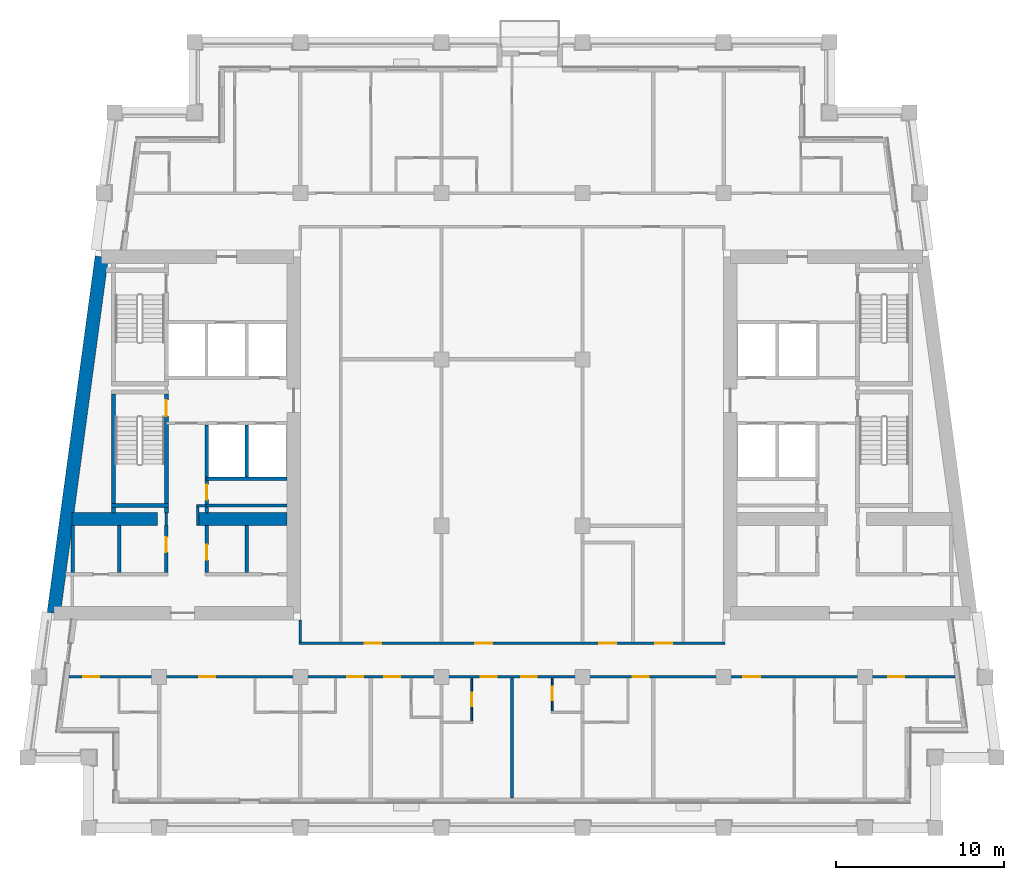
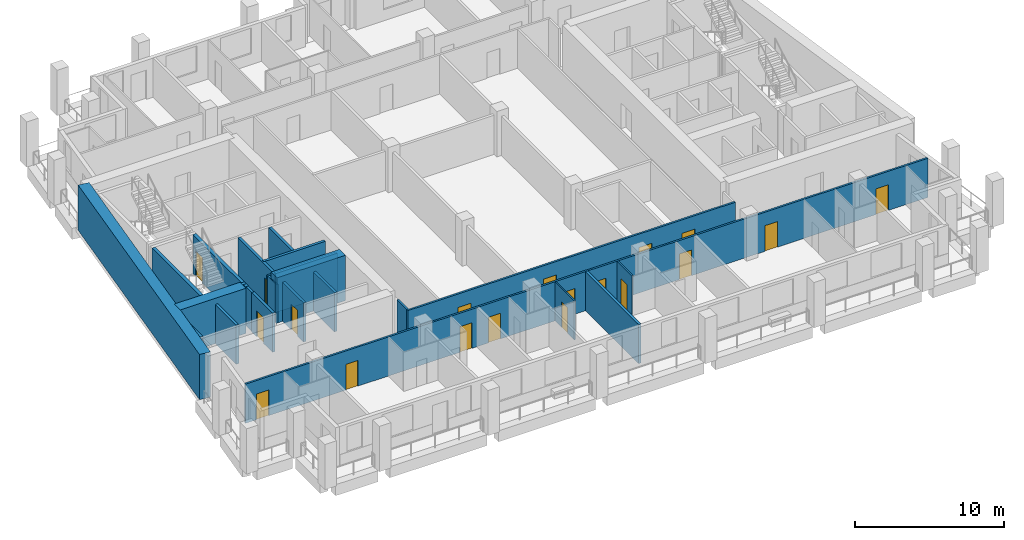
# One storey, part 3 of 13: 24 walls, 19 doors, 19 openings.
"""IFC4 building model written with IfcOpenShell, lengths in metres."""

from ifc_helpers import new_model, si_unit, direction, frame, frame_2d, origin, place, context, subcontext, project, spatial, rectangle, extrude, material, layer, layer_set, type_object, element, fill, save


model = new_model("IFC4")

# Units and contexts
model_context = context("Model", 3, precision=1e-05, world=origin(), true_north=direction((0.0, 1.0)))
body_context = subcontext(model_context, "Body", "Model", "MODEL_VIEW")
ifc_project = project(units=[si_unit("LENGTHUNIT", "METRE"), si_unit("AREAUNIT", "SQUARE_METRE"), si_unit("VOLUMEUNIT", "CUBIC_METRE"), si_unit("PLANEANGLEUNIT", "RADIAN"), si_unit("MASSUNIT", "GRAM", prefix="KILO")], contexts=[model_context])

# Site, building, storey
site_placement = place(None, origin())
site = spatial("IfcSite", under=ifc_project, at=site_placement, CompositionType="ELEMENT")
building_placement = place(site_placement, origin())
building = spatial("IfcBuilding", under=site, at=building_placement, Name="Candeia Pilgrim Tower and Theatre", CompositionType="ELEMENT")
storey_placement = place(building_placement, frame((0.0, 0.0, 242.89990234375)))
storey = spatial("IfcBuildingStorey", under=building, at=storey_placement, Name="L59", CompositionType="ELEMENT", Elevation=242.89990234375)

# Walls
ifc_material_1 = material(Name="Concrete C50/60", Category="concrete")
ifc_layer_1 = layer(ifc_material_1, 0.800048828125)
ifc_layer_set_1 = layer_set([ifc_layer_1], Name="Core wall 800 C50/60")
wall_type_1 = type_object("IfcWallType", Name="Core wall 800 C50/60", PredefinedType="SHEAR", material=ifc_layer_set_1)
wall_1_placement = place(storey_placement, frame((86.126708984375, 110.800048828125, 0.0), z_axis=(0.0, 0.0, 1.0), x_axis=(0.133408347329, 0.991061154956, 0.0)))
element("IfcWall", 1, at=wall_1_placement, inside=storey, type_object=wall_type_1, Name="Core wall W4", PredefinedType="SHEAR", context=body_context, shape_type="SweptSolid", body=[
    extrude(rectangle(XDim=21.39111328125, YDim=0.800048828125, at=frame_2d((10.695556640625, 0.0))), origin(), (0.0, 0.0, 1.0), 3.7001953125),
])
wall_2_placement = place(storey_placement, frame((87.22314453125, 116.39990234375, 0.0), z_axis=(0.0, 0.0, 1.0), x_axis=(1.0, 0.0, 0.0)))
element("IfcWall", 2, at=wall_2_placement, inside=storey, type_object=wall_type_1, Name="Core wall W5", PredefinedType="SHEAR", context=body_context, shape_type="SweptSolid", body=[
    extrude(rectangle(XDim=5.076904296875, YDim=0.800048828125, at=frame_2d((2.53857421875, 0.0))), origin(), (0.0, 0.0, 1.0), 3.7001953125),
])
wall_3_placement = place(storey_placement, frame((94.699951171875, 116.39990234375, 0.0), z_axis=(0.0, 0.0, 1.0), x_axis=(1.0, 0.0, 0.0)))
element("IfcWall", 3, at=wall_3_placement, inside=storey, type_object=wall_type_1, Name="Core wall W6", PredefinedType="SHEAR", context=body_context, shape_type="SweptSolid", body=[
    extrude(rectangle(XDim=5.300048828125, YDim=0.800048828125, at=frame_2d((2.64990234375, 0.0))), origin(), (0.0, 0.0, 1.0), 3.7001953125),
])

# Wall, opening, door
ifc_material_2 = material(Name="Gypsum board partition on steel studs", Category="steel")
ifc_layer_2 = layer(ifc_material_2, 0.10009765625)
ifc_layer_set_2 = layer_set([ifc_layer_2], Name="PW-100 room partition")
wall_type_2 = type_object("IfcWallType", Name="PW-100 room partition", PredefinedType="PARTITIONING", material=ifc_layer_set_2)
wall_4_placement = place(storey_placement, frame((111.0, 104.35009765625, 0.0), z_axis=(0.0, 0.0, 1.0), x_axis=(0.0, 1.0, 0.0)))
wall_4 = element("IfcWall", 4, at=wall_4_placement, inside=storey, type_object=wall_type_2, Name="Room partition L59-082", PredefinedType="PARTITIONING", context=body_context, shape_type="SweptSolid", body=[
    extrude(rectangle(XDim=2.574951171875, YDim=0.10009765625, at=frame_2d((1.28759765625, 0.0))), origin(), (0.0, 0.0, 1.0), 3.2001953125),
])
opening_1_placement = place(wall_4_placement, frame((0.89990234375, 0.0, 0.0)))
opening_1 = element("IfcOpeningElement", 5, at=opening_1_placement, cuts=wall_4, Name="Opening L59-D026", PredefinedType="OPENING", context=body_context, shape_type="SweptSolid", body=[
    extrude(rectangle(XDim=0.800048828125, YDim=2.10009765625, at=frame_2d((0.39990234375, 1.050048828125))), frame((0.0, 0.06005859375, 0.0), z_axis=(0.0, -1.0, 0.0), x_axis=(1.0, 0.0, 0.0)), (0.0, 0.0, 1.0), 0.1201171875),
])
ifc_material_3 = material(Name="Timber door leaf", Category="wood")
door_type_1 = type_object("IfcDoorType", Name="D-800", OperationType="NOTDEFINED", PredefinedType="DOOR", material=ifc_material_3)
door_1_placement = place(opening_1_placement, origin())
door_1 = element("IfcDoor", 6, at=door_1_placement, inside=storey, type_object=door_type_1, Name="Door L59-D026", OperationType="SINGLE_SWING_LEFT", OverallHeight=2.10009765625, OverallWidth=0.800048828125, PredefinedType="DOOR", context=body_context, shape_type="SweptSolid", body=[
    extrude(rectangle(XDim=0.800048828125, YDim=2.10009765625, at=frame_2d((0.39990234375, 1.050048828125))), frame((0.0, 0.02490234375, 0.0), z_axis=(0.0, -1.0, 0.0), x_axis=(1.0, 0.0, 0.0)), (0.0, 0.0, 1.0), 0.050048828125),
])
fill(opening_1, door_1)

wall_5_placement = place(storey_placement, frame((115.800048828125, 104.949951171875, 0.0), z_axis=(0.0, 0.0, 1.0), x_axis=(0.0, 1.0, 0.0)))
wall_5 = element("IfcWall", 7, at=wall_5_placement, inside=storey, type_object=wall_type_2, Name="Room partition L59-086", PredefinedType="PARTITIONING", context=body_context, shape_type="SweptSolid", body=[
    extrude(rectangle(XDim=1.97509765625, YDim=0.10009765625, at=frame_2d((0.987548828125, 0.0))), origin(), (0.0, 0.0, 1.0), 3.2001953125),
])
opening_2_placement = place(wall_5_placement, frame((0.659912109375, 0.0, 0.0)))
opening_2 = element("IfcOpeningElement", 8, at=opening_2_placement, cuts=wall_5, Name="Opening L59-D028", PredefinedType="OPENING", context=body_context, shape_type="SweptSolid", body=[
    extrude(rectangle(XDim=0.800048828125, YDim=2.10009765625, at=frame_2d((0.39990234375, 1.050048828125))), frame((0.0, 0.06005859375, 0.0), z_axis=(0.0, -1.0, 0.0), x_axis=(1.0, 0.0, 0.0)), (0.0, 0.0, 1.0), 0.1201171875),
])
door_2_placement = place(opening_2_placement, origin())
door_2 = element("IfcDoor", 9, at=door_2_placement, inside=storey, type_object=door_type_1, Name="Door L59-D028", OperationType="SINGLE_SWING_LEFT", OverallHeight=2.10009765625, OverallWidth=0.800048828125, PredefinedType="DOOR", context=body_context, shape_type="SweptSolid", body=[
    extrude(rectangle(XDim=0.800048828125, YDim=2.10009765625, at=frame_2d((0.39990234375, 1.050048828125))), frame((0.0, 0.02490234375, 0.0), z_axis=(0.0, -1.0, 0.0), x_axis=(1.0, 0.0, 0.0)), (0.0, 0.0, 1.0), 0.050048828125),
])
fill(opening_2, door_2)

# Walls
ifc_layer_3 = layer(ifc_material_2, 0.14990234375)
ifc_layer_set_3 = layer_set([ifc_layer_3], Name="PW-150 lobby wall")
wall_type_3 = type_object("IfcWallType", Name="PW-150 lobby wall", PredefinedType="PARTITIONING", material=ifc_layer_set_3)
wall_6_placement = place(storey_placement, frame((94.625, 117.199951171875, 0.0), z_axis=(0.0, 0.0, 1.0), x_axis=(1.0, 0.0, 0.0)))
element("IfcWall", 10, at=wall_6_placement, inside=storey, type_object=wall_type_3, Name="Lobby wall L59-019", PredefinedType="PARTITIONING", context=body_context, shape_type="SweptSolid", body=[
    extrude(rectangle(XDim=0.60205078125, YDim=0.14990234375, at=frame_2d((0.301025390625, 0.0))), origin(), (0.0, 0.0, 1.0), 3.2001953125),
])
wall_7_placement = place(storey_placement, frame((92.826904296875, 116.0, 0.0), z_axis=(0.0, 0.0, 1.0), x_axis=(0.0, 1.0, 0.0)))
element("IfcWall", 11, at=wall_7_placement, inside=storey, type_object=wall_type_3, Name="Lobby wall L59-055", PredefinedType="PARTITIONING", context=body_context, shape_type="SweptSolid", body=[
    extrude(rectangle(XDim=0.77001953125, YDim=0.14990234375, at=frame_2d((0.385009765625, 0.0))), origin(), (0.0, 0.0, 1.0), 3.2001953125),
])
wall_8_placement = place(storey_placement, frame((94.699951171875, 116.0, 0.0), z_axis=(0.0, 0.0, 1.0), x_axis=(0.0, 1.0, 0.0)))
element("IfcWall", 12, at=wall_8_placement, inside=storey, type_object=wall_type_3, Name="Lobby wall L59-060", PredefinedType="PARTITIONING", context=body_context, shape_type="SweptSolid", body=[
    extrude(rectangle(XDim=1.125, YDim=0.14990234375, at=frame_2d((0.5625, 0.0))), origin(), (0.0, 0.0, 1.0), 3.2001953125),
])

# Wall, openings, doors
ifc_layer_4 = layer(ifc_material_2, 0.14990234375)
ifc_layer_set_4 = layer_set([ifc_layer_4], Name="PW-150 unit wall")
wall_type_4 = type_object("IfcWallType", Name="PW-150 unit wall", PredefinedType="PARTITIONING", material=ifc_layer_set_4)
wall_9_placement = place(storey_placement, frame((87.017578125, 107.0, 0.0), z_axis=(0.0, 0.0, 1.0), x_axis=(1.0, 0.0, 0.0)))
wall_9 = element("IfcWall", 13, at=wall_9_placement, inside=storey, type_object=wall_type_4, Name="Unit wall L59-009", PredefinedType="PARTITIONING", context=body_context, shape_type="SweptSolid", body=[
    extrude(rectangle(XDim=52.7646484375, YDim=0.14990234375, at=frame_2d((26.38232421875, 0.0))), origin(), (0.0, 0.0, 1.0), 3.2001953125),
])
opening_3_placement = place(wall_9_placement, frame((0.870361328125, 0.0, 0.0)))
opening_3 = element("IfcOpeningElement", 14, at=opening_3_placement, cuts=wall_9, Name="Opening L59-D017", PredefinedType="OPENING", context=body_context, shape_type="SweptSolid", body=[
    extrude(rectangle(XDim=0.949951171875, YDim=2.10009765625, at=frame_2d((0.47509765625, 1.050048828125))), frame((0.0, 0.0849609375, 0.0), z_axis=(0.0, -1.0, 0.0), x_axis=(1.0, 0.0, 0.0)), (0.0, 0.0, 1.0), 0.169921875),
])
opening_4_placement = place(wall_9_placement, frame((7.75732421875, 0.0, 0.0)))
opening_4 = element("IfcOpeningElement", 15, at=opening_4_placement, cuts=wall_9, Name="Opening L59-D019", PredefinedType="OPENING", context=body_context, shape_type="SweptSolid", body=[
    extrude(rectangle(XDim=0.949951171875, YDim=2.10009765625, at=frame_2d((0.47509765625, 1.050048828125))), frame((0.0, 0.0849609375, 0.0), z_axis=(0.0, -1.0, 0.0), x_axis=(1.0, 0.0, 0.0)), (0.0, 0.0, 1.0), 0.169921875),
])
opening_5_placement = place(wall_9_placement, frame((16.5703125, 0.0, 0.0)))
opening_5 = element("IfcOpeningElement", 16, at=opening_5_placement, cuts=wall_9, Name="Opening L59-D021", PredefinedType="OPENING", context=body_context, shape_type="SweptSolid", body=[
    extrude(rectangle(XDim=0.949951171875, YDim=2.10009765625, at=frame_2d((0.47509765625, 1.050048828125))), frame((0.0, 0.0849609375, 0.0), z_axis=(0.0, -1.0, 0.0), x_axis=(1.0, 0.0, 0.0)), (0.0, 0.0, 1.0), 0.169921875),
])
opening_6_placement = place(wall_9_placement, frame((18.7822265625, 0.0, 0.0)))
opening_6 = element("IfcOpeningElement", 17, at=opening_6_placement, cuts=wall_9, Name="Opening L59-D023", PredefinedType="OPENING", context=body_context, shape_type="SweptSolid", body=[
    extrude(rectangle(XDim=0.949951171875, YDim=2.10009765625, at=frame_2d((0.47509765625, 1.050048828125))), frame((0.0, 0.0849609375, 0.0), z_axis=(0.0, -1.0, 0.0), x_axis=(1.0, 0.0, 0.0)), (0.0, 0.0, 1.0), 0.169921875),
])
opening_7_placement = place(wall_9_placement, frame((24.519287109375, 0.0, 0.0)))
opening_7 = element("IfcOpeningElement", 18, at=opening_7_placement, cuts=wall_9, Name="Opening L59-D025", PredefinedType="OPENING", context=body_context, shape_type="SweptSolid", body=[
    extrude(rectangle(XDim=0.949951171875, YDim=2.10009765625, at=frame_2d((0.47509765625, 1.050048828125))), frame((0.0, 0.0849609375, 0.0), z_axis=(0.0, -1.0, 0.0), x_axis=(1.0, 0.0, 0.0)), (0.0, 0.0, 1.0), 0.169921875),
])
opening_8_placement = place(wall_9_placement, frame((26.919189453125, 0.0, 0.0)))
opening_8 = element("IfcOpeningElement", 19, at=opening_8_placement, cuts=wall_9, Name="Opening L59-D027", PredefinedType="OPENING", context=body_context, shape_type="SweptSolid", body=[
    extrude(rectangle(XDim=0.949951171875, YDim=2.10009765625, at=frame_2d((0.47509765625, 1.050048828125))), frame((0.0, 0.0849609375, 0.0), z_axis=(0.0, -1.0, 0.0), x_axis=(1.0, 0.0, 0.0)), (0.0, 0.0, 1.0), 0.169921875),
])
opening_9_placement = place(wall_9_placement, frame((33.557373046875, 0.0, 0.0)))
opening_9 = element("IfcOpeningElement", 20, at=opening_9_placement, cuts=wall_9, Name="Opening L59-D029", PredefinedType="OPENING", context=body_context, shape_type="SweptSolid", body=[
    extrude(rectangle(XDim=0.949951171875, YDim=2.10009765625, at=frame_2d((0.47509765625, 1.050048828125))), frame((0.0, 0.0849609375, 0.0), z_axis=(0.0, -1.0, 0.0), x_axis=(1.0, 0.0, 0.0)), (0.0, 0.0, 1.0), 0.169921875),
])
opening_10_placement = place(wall_9_placement, frame((40.1572265625, 0.0, 0.0)))
opening_10 = element("IfcOpeningElement", 21, at=opening_10_placement, cuts=wall_9, Name="Opening L59-D031", PredefinedType="OPENING", context=body_context, shape_type="SweptSolid", body=[
    extrude(rectangle(XDim=1.0, YDim=2.10009765625, at=frame_2d((0.5, 1.050048828125))), frame((0.0, 0.0849609375, 0.0), z_axis=(0.0, -1.0, 0.0), x_axis=(1.0, 0.0, 0.0)), (0.0, 0.0, 1.0), 0.169921875),
])
opening_11_placement = place(wall_9_placement, frame((48.767333984375, 0.0, 0.0)))
opening_11 = element("IfcOpeningElement", 22, at=opening_11_placement, cuts=wall_9, Name="Opening L59-D034", PredefinedType="OPENING", context=body_context, shape_type="SweptSolid", body=[
    extrude(rectangle(XDim=0.949951171875, YDim=2.10009765625, at=frame_2d((0.47509765625, 1.050048828125))), frame((0.0, 0.0849609375, 0.0), z_axis=(0.0, -1.0, 0.0), x_axis=(1.0, 0.0, 0.0)), (0.0, 0.0, 1.0), 0.169921875),
])
ifc_material_4 = material(Name="Steel fire door set", Category="steel")
door_type_2 = type_object("IfcDoorType", Name="D-1000-FD30S", OperationType="NOTDEFINED", PredefinedType="DOOR", material=ifc_material_4)
door_3_placement = place(opening_10_placement, origin())
door_3 = element("IfcDoor", 23, at=door_3_placement, inside=storey, type_object=door_type_2, Name="Door L59-D031", OperationType="SINGLE_SWING_RIGHT", OverallHeight=2.10009765625, OverallWidth=1.0, PredefinedType="DOOR", context=body_context, shape_type="SweptSolid", body=[
    extrude(rectangle(XDim=1.0, YDim=2.10009765625, at=frame_2d((0.5, 1.050048828125))), frame((0.0, 0.02490234375, 0.0), z_axis=(0.0, -1.0, 0.0), x_axis=(1.0, 0.0, 0.0)), (0.0, 0.0, 1.0), 0.050048828125),
])
fill(opening_10, door_3)
door_type_3 = type_object("IfcDoorType", Name="D-950-FD30S", OperationType="NOTDEFINED", PredefinedType="DOOR", material=ifc_material_4)
door_4_placement = place(opening_3_placement, origin())
door_4 = element("IfcDoor", 24, at=door_4_placement, inside=storey, type_object=door_type_3, Name="Door L59-D017", OperationType="SINGLE_SWING_RIGHT", OverallHeight=2.10009765625, OverallWidth=0.949951171875, PredefinedType="DOOR", context=body_context, shape_type="SweptSolid", body=[
    extrude(rectangle(XDim=0.949951171875, YDim=2.10009765625, at=frame_2d((0.47509765625, 1.050048828125))), frame((0.0, 0.02490234375, 0.0), z_axis=(0.0, -1.0, 0.0), x_axis=(1.0, 0.0, 0.0)), (0.0, 0.0, 1.0), 0.050048828125),
])
fill(opening_3, door_4)
door_5_placement = place(opening_4_placement, origin())
door_5 = element("IfcDoor", 25, at=door_5_placement, inside=storey, type_object=door_type_3, Name="Door L59-D019", OperationType="SINGLE_SWING_RIGHT", OverallHeight=2.10009765625, OverallWidth=0.949951171875, PredefinedType="DOOR", context=body_context, shape_type="SweptSolid", body=[
    extrude(rectangle(XDim=0.949951171875, YDim=2.10009765625, at=frame_2d((0.47509765625, 1.050048828125))), frame((0.0, 0.02490234375, 0.0), z_axis=(0.0, -1.0, 0.0), x_axis=(1.0, 0.0, 0.0)), (0.0, 0.0, 1.0), 0.050048828125),
])
fill(opening_4, door_5)
door_6_placement = place(opening_5_placement, origin())
door_6 = element("IfcDoor", 26, at=door_6_placement, inside=storey, type_object=door_type_3, Name="Door L59-D021", OperationType="SINGLE_SWING_RIGHT", OverallHeight=2.10009765625, OverallWidth=0.949951171875, PredefinedType="DOOR", context=body_context, shape_type="SweptSolid", body=[
    extrude(rectangle(XDim=0.949951171875, YDim=2.10009765625, at=frame_2d((0.47509765625, 1.050048828125))), frame((0.0, 0.02490234375, 0.0), z_axis=(0.0, -1.0, 0.0), x_axis=(1.0, 0.0, 0.0)), (0.0, 0.0, 1.0), 0.050048828125),
])
fill(opening_5, door_6)
door_7_placement = place(opening_6_placement, origin())
door_7 = element("IfcDoor", 27, at=door_7_placement, inside=storey, type_object=door_type_3, Name="Door L59-D023", OperationType="SINGLE_SWING_RIGHT", OverallHeight=2.10009765625, OverallWidth=0.949951171875, PredefinedType="DOOR", context=body_context, shape_type="SweptSolid", body=[
    extrude(rectangle(XDim=0.949951171875, YDim=2.10009765625, at=frame_2d((0.47509765625, 1.050048828125))), frame((0.0, 0.02490234375, 0.0), z_axis=(0.0, -1.0, 0.0), x_axis=(1.0, 0.0, 0.0)), (0.0, 0.0, 1.0), 0.050048828125),
])
fill(opening_6, door_7)
door_8_placement = place(opening_7_placement, origin())
door_8 = element("IfcDoor", 28, at=door_8_placement, inside=storey, type_object=door_type_3, Name="Door L59-D025", OperationType="SINGLE_SWING_RIGHT", OverallHeight=2.10009765625, OverallWidth=0.949951171875, PredefinedType="DOOR", context=body_context, shape_type="SweptSolid", body=[
    extrude(rectangle(XDim=0.949951171875, YDim=2.10009765625, at=frame_2d((0.47509765625, 1.050048828125))), frame((0.0, 0.02490234375, 0.0), z_axis=(0.0, -1.0, 0.0), x_axis=(1.0, 0.0, 0.0)), (0.0, 0.0, 1.0), 0.050048828125),
])
fill(opening_7, door_8)
door_9_placement = place(opening_8_placement, origin())
door_9 = element("IfcDoor", 29, at=door_9_placement, inside=storey, type_object=door_type_3, Name="Door L59-D027", OperationType="SINGLE_SWING_RIGHT", OverallHeight=2.10009765625, OverallWidth=0.949951171875, PredefinedType="DOOR", context=body_context, shape_type="SweptSolid", body=[
    extrude(rectangle(XDim=0.949951171875, YDim=2.10009765625, at=frame_2d((0.47509765625, 1.050048828125))), frame((0.0, 0.02490234375, 0.0), z_axis=(0.0, -1.0, 0.0), x_axis=(1.0, 0.0, 0.0)), (0.0, 0.0, 1.0), 0.050048828125),
])
fill(opening_8, door_9)
door_10_placement = place(opening_9_placement, origin())
door_10 = element("IfcDoor", 30, at=door_10_placement, inside=storey, type_object=door_type_3, Name="Door L59-D029", OperationType="SINGLE_SWING_RIGHT", OverallHeight=2.10009765625, OverallWidth=0.949951171875, PredefinedType="DOOR", context=body_context, shape_type="SweptSolid", body=[
    extrude(rectangle(XDim=0.949951171875, YDim=2.10009765625, at=frame_2d((0.47509765625, 1.050048828125))), frame((0.0, 0.02490234375, 0.0), z_axis=(0.0, -1.0, 0.0), x_axis=(1.0, 0.0, 0.0)), (0.0, 0.0, 1.0), 0.050048828125),
])
fill(opening_9, door_10)
door_11_placement = place(opening_11_placement, origin())
door_11 = element("IfcDoor", 31, at=door_11_placement, inside=storey, type_object=door_type_3, Name="Door L59-D034", OperationType="SINGLE_SWING_LEFT", OverallHeight=2.10009765625, OverallWidth=0.949951171875, PredefinedType="DOOR", context=body_context, shape_type="SweptSolid", body=[
    extrude(rectangle(XDim=0.949951171875, YDim=2.10009765625, at=frame_2d((0.47509765625, 1.050048828125))), frame((0.0, 0.02490234375, 0.0), z_axis=(0.0, -1.0, 0.0), x_axis=(1.0, 0.0, 0.0)), (0.0, 0.0, 1.0), 0.050048828125),
])
fill(opening_11, door_11)

wall_10_placement = place(storey_placement, frame((100.72509765625, 109.0, 0.0), z_axis=(0.0, 0.0, 1.0), x_axis=(1.0, 0.0, 0.0)))
wall_10 = element("IfcWall", 32, at=wall_10_placement, inside=storey, type_object=wall_type_4, Name="Unit wall L59-010", PredefinedType="PARTITIONING", context=body_context, shape_type="SweptSolid", body=[
    extrude(rectangle(XDim=25.349853515625, YDim=0.14990234375, at=frame_2d((12.6748046875, 0.0))), origin(), (0.0, 0.0, 1.0), 3.2001953125),
])
opening_12_placement = place(wall_10_placement, frame((21.199951171875, 0.0, 0.0)))
opening_12 = element("IfcOpeningElement", 33, at=opening_12_placement, cuts=wall_10, Name="Opening L59-D049", PredefinedType="OPENING", context=body_context, shape_type="SweptSolid", body=[
    extrude(rectangle(XDim=1.0, YDim=2.10009765625, at=frame_2d((0.5, 1.050048828125))), frame((0.0, 0.0849609375, 0.0), z_axis=(0.0, -1.0, 0.0), x_axis=(1.0, 0.0, 0.0)), (0.0, 0.0, 1.0), 0.169921875),
])
opening_13_placement = place(wall_10_placement, frame((3.89990234375, 0.0, 0.0)))
opening_13 = element("IfcOpeningElement", 34, at=opening_13_placement, cuts=wall_10, Name="Opening L59-D050", PredefinedType="OPENING", context=body_context, shape_type="SweptSolid", body=[
    extrude(rectangle(XDim=1.0, YDim=2.10009765625, at=frame_2d((0.5, 1.050048828125))), frame((0.0, 0.0849609375, 0.0), z_axis=(0.0, -1.0, 0.0), x_axis=(1.0, 0.0, 0.0)), (0.0, 0.0, 1.0), 0.169921875),
])
opening_14_placement = place(wall_10_placement, frame((10.5, 0.0, 0.0)))
opening_14 = element("IfcOpeningElement", 35, at=opening_14_placement, cuts=wall_10, Name="Opening L59-D052", PredefinedType="OPENING", context=body_context, shape_type="SweptSolid", body=[
    extrude(rectangle(XDim=1.0, YDim=2.10009765625, at=frame_2d((0.5, 1.050048828125))), frame((0.0, 0.0849609375, 0.0), z_axis=(0.0, -1.0, 0.0), x_axis=(1.0, 0.0, 0.0)), (0.0, 0.0, 1.0), 0.169921875),
])
opening_15_placement = place(wall_10_placement, frame((17.875, 0.0, 0.0)))
opening_15 = element("IfcOpeningElement", 36, at=opening_15_placement, cuts=wall_10, Name="Opening L59-D054", PredefinedType="OPENING", context=body_context, shape_type="SweptSolid", body=[
    extrude(rectangle(XDim=1.0, YDim=2.10009765625, at=frame_2d((0.5, 1.050048828125))), frame((0.0, 0.0849609375, 0.0), z_axis=(0.0, -1.0, 0.0), x_axis=(1.0, 0.0, 0.0)), (0.0, 0.0, 1.0), 0.169921875),
])
door_12_placement = place(opening_12_placement, origin())
door_12 = element("IfcDoor", 37, at=door_12_placement, inside=storey, type_object=door_type_2, Name="Door L59-D049", OperationType="SINGLE_SWING_RIGHT", OverallHeight=2.10009765625, OverallWidth=1.0, PredefinedType="DOOR", context=body_context, shape_type="SweptSolid", body=[
    extrude(rectangle(XDim=1.0, YDim=2.10009765625, at=frame_2d((0.5, 1.050048828125))), frame((0.0, 0.02490234375, 0.0), z_axis=(0.0, -1.0, 0.0), x_axis=(1.0, 0.0, 0.0)), (0.0, 0.0, 1.0), 0.050048828125),
])
fill(opening_12, door_12)
door_13_placement = place(opening_13_placement, origin())
door_13 = element("IfcDoor", 38, at=door_13_placement, inside=storey, type_object=door_type_2, Name="Door L59-D050", OperationType="SINGLE_SWING_LEFT", OverallHeight=2.10009765625, OverallWidth=1.0, PredefinedType="DOOR", context=body_context, shape_type="SweptSolid", body=[
    extrude(rectangle(XDim=1.0, YDim=2.10009765625, at=frame_2d((0.5, 1.050048828125))), frame((0.0, 0.02490234375, 0.0), z_axis=(0.0, -1.0, 0.0), x_axis=(1.0, 0.0, 0.0)), (0.0, 0.0, 1.0), 0.050048828125),
])
fill(opening_13, door_13)
door_14_placement = place(opening_14_placement, origin())
door_14 = element("IfcDoor", 39, at=door_14_placement, inside=storey, type_object=door_type_2, Name="Door L59-D052", OperationType="SINGLE_SWING_LEFT", OverallHeight=2.10009765625, OverallWidth=1.0, PredefinedType="DOOR", context=body_context, shape_type="SweptSolid", body=[
    extrude(rectangle(XDim=1.0, YDim=2.10009765625, at=frame_2d((0.5, 1.050048828125))), frame((0.0, 0.02490234375, 0.0), z_axis=(0.0, -1.0, 0.0), x_axis=(1.0, 0.0, 0.0)), (0.0, 0.0, 1.0), 0.050048828125),
])
fill(opening_14, door_14)
door_15_placement = place(opening_15_placement, origin())
door_15 = element("IfcDoor", 40, at=door_15_placement, inside=storey, type_object=door_type_2, Name="Door L59-D054", OperationType="SINGLE_SWING_LEFT", OverallHeight=2.10009765625, OverallWidth=1.0, PredefinedType="DOOR", context=body_context, shape_type="SweptSolid", body=[
    extrude(rectangle(XDim=1.0, YDim=2.10009765625, at=frame_2d((0.5, 1.050048828125))), frame((0.0, 0.02490234375, 0.0), z_axis=(0.0, -1.0, 0.0), x_axis=(1.0, 0.0, 0.0)), (0.0, 0.0, 1.0), 0.050048828125),
])
fill(opening_15, door_15)

# Walls
wall_11_placement = place(storey_placement, frame((100.800048828125, 109.074951171875, 0.0), z_axis=(0.0, 0.0, 1.0), x_axis=(0.0, 1.0, 0.0)))
element("IfcWall", 41, at=wall_11_placement, inside=storey, type_object=wall_type_4, Name="Unit wall L59-071", PredefinedType="PARTITIONING", context=body_context, shape_type="SweptSolid", body=[
    extrude(rectangle(XDim=1.324951171875, YDim=0.14990234375, at=frame_2d((0.66259765625, 0.0))), origin(), (0.0, 0.0, 1.0), 3.2001953125),
])
ifc_layer_5 = layer(ifc_material_2, 0.199951171875)
ifc_layer_set_5 = layer_set([ifc_layer_5], Name="PW-200 party wall")
wall_type_5 = type_object("IfcWallType", Name="PW-200 party wall", PredefinedType="PARTITIONING", material=ifc_layer_set_5)
wall_12_placement = place(storey_placement, frame((113.39990234375, 99.7900390625, 0.0), z_axis=(0.0, 0.0, 1.0), x_axis=(0.0, 1.0, 0.0)))
element("IfcWall", 42, at=wall_12_placement, inside=storey, type_object=wall_type_5, Name="Party wall L59-085", PredefinedType="PARTITIONING", context=body_context, shape_type="SweptSolid", body=[
    extrude(rectangle(XDim=7.135009765625, YDim=0.199951171875, at=frame_2d((3.5673828125, 0.0))), origin(), (0.0, 0.0, 1.0), 3.2001953125),
])
ifc_material_5 = material(Name="Concrete C40/50", Category="concrete")
ifc_layer_6 = layer(ifc_material_5, 0.199951171875)
ifc_layer_set_6 = layer_set([ifc_layer_6], Name="SW-200 shaft wall")
wall_type_6 = type_object("IfcWallType", Name="SW-200 shaft wall", PredefinedType="PARTITIONING", material=ifc_layer_set_6)
for number, where, z_axis, x_axis, name in (
    (43, (95.22705078125, 117.199951171875, 0.0), (0.0, 0.0, 1.0), (1.0, 0.0, 0.0), "Shaft wall L59-017"),
    (44, (95.22705078125, 118.800048828125, 0.0), (0.0, 0.0, 1.0), (1.0, 0.0, 0.0), "Shaft wall L59-023"),
):
    element("IfcWall", number, at=place(storey_placement, frame(where, z_axis=z_axis, x_axis=x_axis)), inside=storey, type_object=wall_type_6, Name=name, PredefinedType="PARTITIONING", context=body_context, shape_type="SweptSolid", body=[
        extrude(rectangle(XDim=4.77294921875, YDim=0.199951171875, at=frame_2d((2.386474609375, 0.0))), origin(), (0.0, 0.0, 1.0), 3.2001953125),
    ])
for number, where, z_axis, x_axis, name in (
    (45, (87.24951171875, 113.199951171875, 0.0), (0.0, 0.0, 1.0), (0.0, 1.0, 0.0), "Shaft wall L59-047"),
    (46, (90.027099609375, 113.199951171875, 0.0), (0.0, 0.0, 1.0), (0.0, 1.0, 0.0), "Shaft wall L59-052"),
):
    element("IfcWall", number, at=place(storey_placement, frame(where, z_axis=z_axis, x_axis=x_axis)), inside=storey, type_object=wall_type_6, Name=name, PredefinedType="PARTITIONING", context=body_context, shape_type="SweptSolid", body=[
        extrude(rectangle(XDim=2.800048828125, YDim=0.199951171875, at=frame_2d((1.39990234375, 0.0))), origin(), (0.0, 0.0, 1.0), 3.2001953125),
    ])

# Wall, opening, door
wall_13_placement = place(storey_placement, frame((92.826904296875, 113.199951171875, 0.0), z_axis=(0.0, 0.0, 1.0), x_axis=(0.0, 1.0, 0.0)))
wall_13 = element("IfcWall", 47, at=wall_13_placement, inside=storey, type_object=wall_type_6, Name="Shaft wall L59-054", PredefinedType="PARTITIONING", context=body_context, shape_type="SweptSolid", body=[
    extrude(rectangle(XDim=2.800048828125, YDim=0.199951171875, at=frame_2d((1.39990234375, 0.0))), origin(), (0.0, 0.0, 1.0), 3.2001953125),
])
opening_16_placement = place(wall_13_placement, frame((1.22509765625, 0.0, 0.0)))
opening_16 = element("IfcOpeningElement", 48, at=opening_16_placement, cuts=wall_13, Name="Opening L59-D006", PredefinedType="OPENING", context=body_context, shape_type="SweptSolid", body=[
    extrude(rectangle(XDim=0.89990234375, YDim=2.10009765625, at=frame_2d((0.449951171875, 1.050048828125))), frame((0.0, 0.10986328125, 0.0), z_axis=(0.0, -1.0, 0.0), x_axis=(1.0, 0.0, 0.0)), (0.0, 0.0, 1.0), 0.219970703125),
])
door_type_4 = type_object("IfcDoorType", Name="D-900-FD60", OperationType="NOTDEFINED", PredefinedType="DOOR", material=ifc_material_4)
door_16_placement = place(opening_16_placement, origin())
door_16 = element("IfcDoor", 49, at=door_16_placement, inside=storey, type_object=door_type_4, Name="Door L59-D006", OperationType="SINGLE_SWING_LEFT", OverallHeight=2.10009765625, OverallWidth=0.89990234375, PredefinedType="DOOR", context=body_context, shape_type="SweptSolid", body=[
    extrude(rectangle(XDim=0.89990234375, YDim=2.10009765625, at=frame_2d((0.449951171875, 1.050048828125))), frame((0.0, 0.02490234375, 0.0), z_axis=(0.0, -1.0, 0.0), x_axis=(1.0, 0.0, 0.0)), (0.0, 0.0, 1.0), 0.050048828125),
])
fill(opening_16, door_16)

wall_14_placement = place(storey_placement, frame((95.22705078125, 113.199951171875, 0.0), z_axis=(0.0, 0.0, 1.0), x_axis=(0.0, 1.0, 0.0)))
wall_14 = element("IfcWall", 50, at=wall_14_placement, inside=storey, type_object=wall_type_6, Name="Shaft wall L59-062", PredefinedType="PARTITIONING", context=body_context, shape_type="SweptSolid", body=[
    extrude(rectangle(XDim=2.800048828125, YDim=0.199951171875, at=frame_2d((1.39990234375, 0.0))), origin(), (0.0, 0.0, 1.0), 3.2001953125),
])
opening_17_placement = place(wall_14_placement, frame((0.77001953125, 0.0, 0.0)))
opening_17 = element("IfcOpeningElement", 51, at=opening_17_placement, cuts=wall_14, Name="Opening L59-D007", PredefinedType="OPENING", context=body_context, shape_type="SweptSolid", body=[
    extrude(rectangle(XDim=0.89990234375, YDim=2.10009765625, at=frame_2d((0.449951171875, 1.050048828125))), frame((0.0, 0.10986328125, 0.0), z_axis=(0.0, -1.0, 0.0), x_axis=(1.0, 0.0, 0.0)), (0.0, 0.0, 1.0), 0.219970703125),
])
door_17_placement = place(opening_17_placement, origin())
door_17 = element("IfcDoor", 52, at=door_17_placement, inside=storey, type_object=door_type_4, Name="Door L59-D007", OperationType="SINGLE_SWING_RIGHT", OverallHeight=2.10009765625, OverallWidth=0.89990234375, PredefinedType="DOOR", context=body_context, shape_type="SweptSolid", body=[
    extrude(rectangle(XDim=0.89990234375, YDim=2.10009765625, at=frame_2d((0.449951171875, 1.050048828125))), frame((0.0, 0.02490234375, 0.0), z_axis=(0.0, -1.0, 0.0), x_axis=(1.0, 0.0, 0.0)), (0.0, 0.0, 1.0), 0.050048828125),
])
fill(opening_17, door_17)

wall_15_placement = place(storey_placement, frame((95.22705078125, 116.77001953125, 0.0), z_axis=(0.0, 0.0, 1.0), x_axis=(0.0, 1.0, 0.0)))
wall_15 = element("IfcWall", 53, at=wall_15_placement, inside=storey, type_object=wall_type_6, Name="Shaft wall L59-063", PredefinedType="PARTITIONING", context=body_context, shape_type="SweptSolid", body=[
    extrude(rectangle(XDim=5.22998046875, YDim=0.199951171875, at=frame_2d((2.614990234375, 0.0))), origin(), (0.0, 0.0, 1.0), 3.2001953125),
])
opening_18_placement = place(wall_15_placement, frame((0.780029296875, 0.0, 0.0)))
opening_18 = element("IfcOpeningElement", 54, at=opening_18_placement, cuts=wall_15, Name="Opening L59-D004", PredefinedType="OPENING", context=body_context, shape_type="SweptSolid", body=[
    extrude(rectangle(XDim=0.89990234375, YDim=2.10009765625, at=frame_2d((0.449951171875, 1.050048828125))), frame((0.0, 0.10986328125, 0.0), z_axis=(0.0, -1.0, 0.0), x_axis=(1.0, 0.0, 0.0)), (0.0, 0.0, 1.0), 0.219970703125),
])
door_18_placement = place(opening_18_placement, origin())
door_18 = element("IfcDoor", 55, at=door_18_placement, inside=storey, type_object=door_type_4, Name="Door L59-D004", OperationType="SINGLE_SWING_LEFT", OverallHeight=2.10009765625, OverallWidth=0.89990234375, PredefinedType="DOOR", context=body_context, shape_type="SweptSolid", body=[
    extrude(rectangle(XDim=0.89990234375, YDim=2.10009765625, at=frame_2d((0.449951171875, 1.050048828125))), frame((0.0, 0.02490234375, 0.0), z_axis=(0.0, -1.0, 0.0), x_axis=(1.0, 0.0, 0.0)), (0.0, 0.0, 1.0), 0.050048828125),
])
fill(opening_18, door_18)

# Walls
wall_16_placement = place(storey_placement, frame((97.613525390625, 113.199951171875, 0.0), z_axis=(0.0, 0.0, 1.0), x_axis=(0.0, 1.0, 0.0)))
element("IfcWall", 56, at=wall_16_placement, inside=storey, type_object=wall_type_6, Name="Shaft wall L59-066", PredefinedType="PARTITIONING", context=body_context, shape_type="SweptSolid", body=[
    extrude(rectangle(XDim=2.800048828125, YDim=0.199951171875, at=frame_2d((1.39990234375, 0.0))), origin(), (0.0, 0.0, 1.0), 3.2001953125),
])
wall_17_placement = place(storey_placement, frame((97.613525390625, 118.89990234375, 0.0), z_axis=(0.0, 0.0, 1.0), x_axis=(0.0, 1.0, 0.0)))
element("IfcWall", 57, at=wall_17_placement, inside=storey, type_object=wall_type_6, Name="Shaft wall L59-067", PredefinedType="PARTITIONING", context=body_context, shape_type="SweptSolid", body=[
    extrude(rectangle(XDim=3.10009765625, YDim=0.199951171875, at=frame_2d((1.550048828125, 0.0))), origin(), (0.0, 0.0, 1.0), 3.2001953125),
])
ifc_layer_7 = layer(ifc_material_5, 0.25)
ifc_layer_set_7 = layer_set([ifc_layer_7], Name="SW-250 stair wall")
wall_type_7 = type_object("IfcWallType", Name="SW-250 stair wall", PredefinedType="PARTITIONING", material=ifc_layer_set_7)
wall_18_placement = place(storey_placement, frame((89.552001953125, 117.199951171875, 0.0), z_axis=(0.0, 0.0, 1.0), x_axis=(1.0, 0.0, 0.0)))
element("IfcWall", 58, at=wall_18_placement, inside=storey, type_object=wall_type_7, Name="Stair wall L59-021", PredefinedType="PARTITIONING", context=body_context, shape_type="SweptSolid", body=[
    extrude(rectangle(XDim=3.39990234375, YDim=0.25, at=frame_2d((1.699951171875, 0.0))), origin(), (0.0, 0.0, 1.0), 3.2001953125),
])
wall_19_placement = place(storey_placement, frame((89.677001953125, 116.77001953125, 0.0), z_axis=(0.0, 0.0, 1.0), x_axis=(0.0, 1.0, 0.0)))
element("IfcWall", 59, at=wall_19_placement, inside=storey, type_object=wall_type_7, Name="Stair wall L59-049", PredefinedType="PARTITIONING", context=body_context, shape_type="SweptSolid", body=[
    extrude(rectangle(XDim=7.054931640625, YDim=0.25, at=frame_2d((3.52734375, 0.0))), origin(), (0.0, 0.0, 1.0), 3.2001953125),
])

# Wall, opening, door
wall_20_placement = place(storey_placement, frame((92.826904296875, 116.77001953125, 0.0), z_axis=(0.0, 0.0, 1.0), x_axis=(0.0, 1.0, 0.0)))
wall_20 = element("IfcWall", 60, at=wall_20_placement, inside=storey, type_object=wall_type_7, Name="Stair wall L59-057", PredefinedType="PARTITIONING", context=body_context, shape_type="SweptSolid", body=[
    extrude(rectangle(XDim=7.054931640625, YDim=0.25, at=frame_2d((3.52734375, 0.0))), origin(), (0.0, 0.0, 1.0), 3.2001953125),
])
opening_19_placement = place(wall_20_placement, frame((5.7548828125, 0.0, 0.0)))
opening_19 = element("IfcOpeningElement", 61, at=opening_19_placement, cuts=wall_20, Name="Opening L59-D002", PredefinedType="OPENING", context=body_context, shape_type="SweptSolid", body=[
    extrude(rectangle(XDim=0.949951171875, YDim=2.10009765625, at=frame_2d((0.47509765625, 1.050048828125))), frame((0.0, 0.135009765625, 0.0), z_axis=(0.0, -1.0, 0.0), x_axis=(1.0, 0.0, 0.0)), (0.0, 0.0, 1.0), 0.27001953125),
])
door_type_5 = type_object("IfcDoorType", Name="D-950-FD60", OperationType="NOTDEFINED", PredefinedType="DOOR", material=ifc_material_4)
door_19_placement = place(opening_19_placement, origin())
door_19 = element("IfcDoor", 62, at=door_19_placement, inside=storey, type_object=door_type_5, Name="Door L59-D002", OperationType="SINGLE_SWING_LEFT", OverallHeight=2.10009765625, OverallWidth=0.949951171875, PredefinedType="DOOR", context=body_context, shape_type="SweptSolid", body=[
    extrude(rectangle(XDim=0.949951171875, YDim=2.10009765625, at=frame_2d((0.47509765625, 1.050048828125))), frame((0.0, 0.02490234375, 0.0), z_axis=(0.0, -1.0, 0.0), x_axis=(1.0, 0.0, 0.0)), (0.0, 0.0, 1.0), 0.050048828125),
])
fill(opening_19, door_19)

save(model, "model.ifc")
